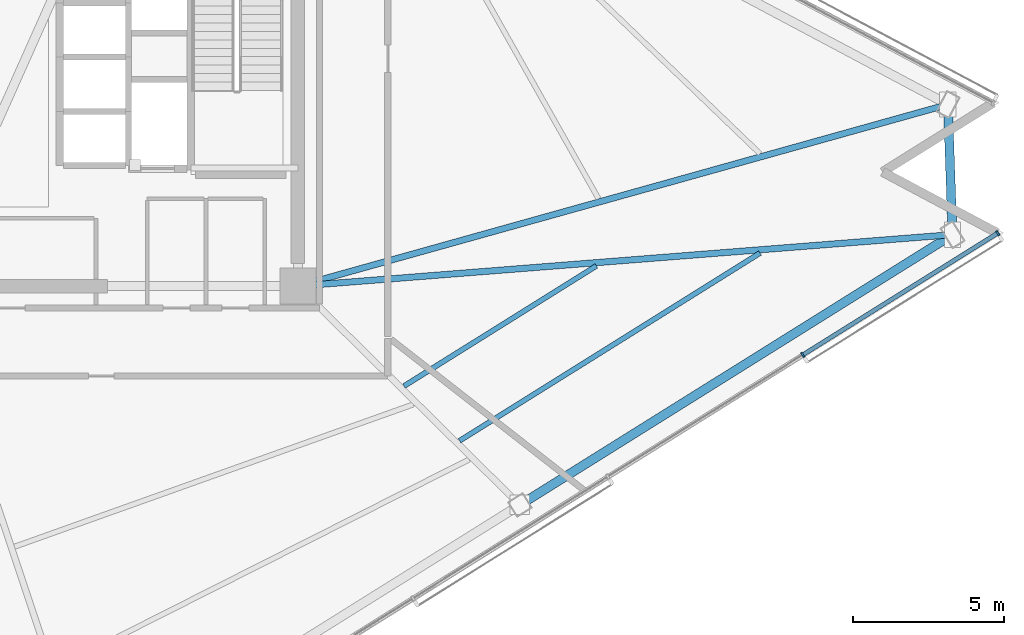
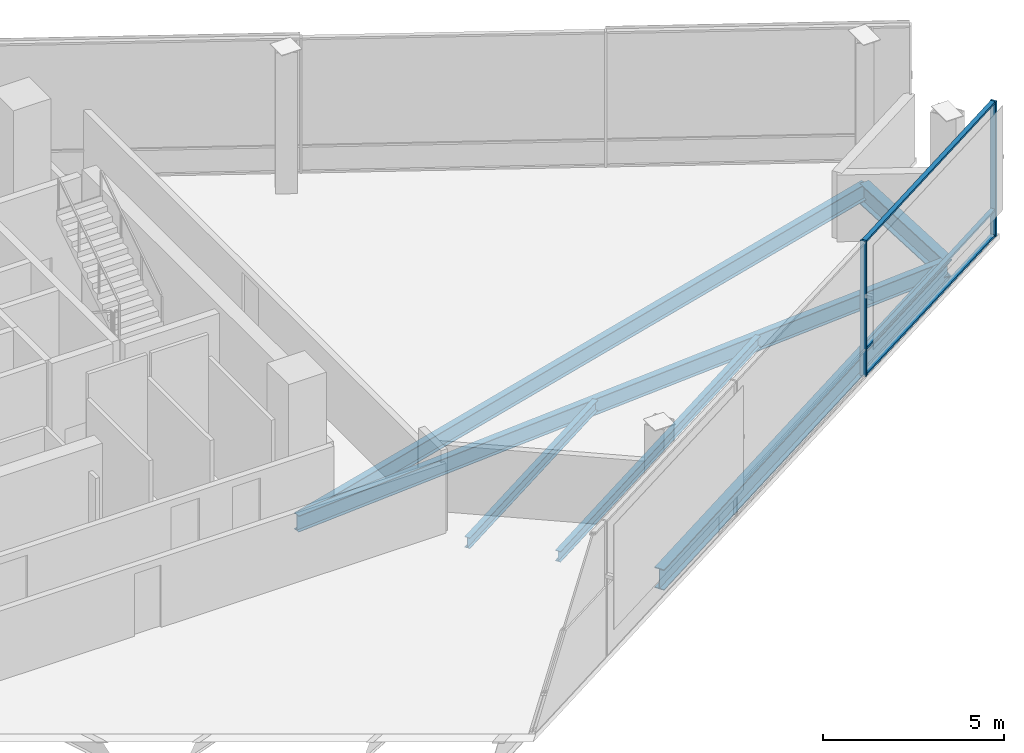
# One storey, part 6 of 19: 6 beams, 5 members, 1 element without a shape of its own.
"""IFC4 building model written with IfcOpenShell, lengths in metres."""

from ifc_helpers import new_model, si_unit, direction, frame, origin, origin_2d, place, context, subcontext, project, spatial, rectangle, i_section, extrude, material, layer, layer_set, material_profile, profile_set, type_object, element, aggregate, save


model = new_model("IFC4")

# Units and contexts
model_context = context("Model", 3, precision=1e-05, world=origin(), true_north=direction((0.0, 1.0)))
body_context = subcontext(model_context, "Body", "Model", "MODEL_VIEW")
ifc_project = project(units=[si_unit("LENGTHUNIT", "METRE"), si_unit("AREAUNIT", "SQUARE_METRE"), si_unit("VOLUMEUNIT", "CUBIC_METRE"), si_unit("PLANEANGLEUNIT", "RADIAN"), si_unit("MASSUNIT", "GRAM", prefix="KILO")], contexts=[model_context])

# Site, building, storey
site_placement = place(None, origin())
site = spatial("IfcSite", under=ifc_project, at=site_placement, CompositionType="ELEMENT")
building_placement = place(site_placement, origin())
building = spatial("IfcBuilding", under=site, at=building_placement, Name="Tharavind Bronze Gate", CompositionType="ELEMENT")
storey_placement = place(building_placement, frame((0.0, 0.0, 160.39990234375)))
storey = spatial("IfcBuildingStorey", under=building, at=storey_placement, Name="L41", CompositionType="ELEMENT", Elevation=160.39990234375)

# Curtain wall, members
ifc_material_1 = material(Name="Anodised Bronze Aluminium", Category="aluminium")
ifc_layer = layer(ifc_material_1, 0.219970703125)
ifc_layer_set = layer_set([ifc_layer], Name="Anodised Bronze Aluminium")
curtain_wall_type = type_object("IfcCurtainWallType", Name="UNITISED CURTAIN WALL MID OFFICE", PredefinedType="USERDEFINED", material=ifc_layer_set)
curtain_wall_placement = place(storey_placement, origin())
curtain_wall = element("IfcCurtainWall", 1, at=curtain_wall_placement, inside=storey, type_object=curtain_wall_type, Name="L41 unitised curtain wall mid office CW-L41-S2", ObjectType="UNITISED CURTAIN WALL", PredefinedType="USERDEFINED")
member_type_1 = type_object("IfcMemberType", Name="CURTAIN WALL BRONZE MULLION 65X180", PredefinedType="MULLION", material=ifc_material_1)
member_1_placement = place(storey_placement, frame((25.649169921875, -9.8798828125, 0.0), z_axis=(0.0, 0.0, 1.0), x_axis=(0.848048096156, 0.529919264233, 0.0)))
member_1 = element("IfcMember", 2, at=member_1_placement, type_object=member_type_1, Name="CW-L41-S2 mullion 7", PredefinedType="MULLION", context=body_context, shape_type="SweptSolid", body=[
    extrude(rectangle(XDim=0.06494140625, YDim=0.179931640625, at=origin_2d()), origin(), (0.0, 0.0, 1.0), 4.554931640625),
])
member_2_placement = place(storey_placement, frame((32.114501953125, -5.83984375, 0.0), z_axis=(0.0, 0.0, 1.0), x_axis=(0.848048096156, 0.529919264233, 0.0)))
member_2 = element("IfcMember", 3, at=member_2_placement, type_object=member_type_1, Name="CW-L41-S2 mullion 8", PredefinedType="MULLION", context=body_context, shape_type="SweptSolid", body=[
    extrude(rectangle(XDim=0.06494140625, YDim=0.179931640625, at=origin_2d()), origin(), (0.0, 0.0, 1.0), 4.554931640625),
])
member_type_2 = type_object("IfcMemberType", Name="CURTAIN WALL BRONZE TRANSOM 65X140", PredefinedType="USERDEFINED", material=ifc_material_1)
member_3_placement = place(storey_placement, frame((28.8818359375, -7.85986328125, 0.000244140625), z_axis=(0.0, 0.0, 1.0), x_axis=(0.848048096156, 0.529919264233, 0.0)))
member_3 = element("IfcMember", 4, at=member_3_placement, type_object=member_type_2, Name="CW-L41-S2 transom TB7", ObjectType="TRANSOM", PredefinedType="USERDEFINED", context=body_context, shape_type="SweptSolid", body=[
    extrude(rectangle(XDim=7.57080078125, YDim=0.139892578125, at=origin_2d()), origin(), (0.0, 0.0, 1.0), 0.06494140625),
])
member_4_placement = place(storey_placement, frame((28.8818359375, -7.85986328125, 0.86767578125), z_axis=(0.0, 0.0, 1.0), x_axis=(0.848048096156, 0.529919264233, 0.0)))
member_4 = element("IfcMember", 5, at=member_4_placement, type_object=member_type_2, Name="CW-L41-S2 transom TS7", ObjectType="TRANSOM", PredefinedType="USERDEFINED", context=body_context, shape_type="SweptSolid", body=[
    extrude(rectangle(XDim=7.57080078125, YDim=0.139892578125, at=origin_2d()), origin(), (0.0, 0.0, 1.0), 0.06494140625),
])
member_5_placement = place(storey_placement, frame((28.8818359375, -7.85986328125, 4.490234375), z_axis=(0.0, 0.0, 1.0), x_axis=(0.848048096156, 0.529919264233, 0.0)))
member_5 = element("IfcMember", 6, at=member_5_placement, type_object=member_type_2, Name="CW-L41-S2 transom TT7", ObjectType="TRANSOM", PredefinedType="USERDEFINED", context=body_context, shape_type="SweptSolid", body=[
    extrude(rectangle(XDim=7.57080078125, YDim=0.139892578125, at=origin_2d()), origin(), (0.0, 0.0, 1.0), 0.06494140625),
])
aggregate(curtain_wall, [member_1, member_2, member_3, member_4, member_5])

# Beams
ifc_material_2 = material(Name="Steel S355", Category="steel")
ifc_material_profile_1 = material_profile(ifc_material_2, i_section(OverallWidth=0.2099609375, OverallDepth=0.550048828125, WebThickness=0.010986328125, FlangeThickness=0.01708984375, at=origin_2d()), Name="IPE550")
ifc_profile_set_1 = profile_set([ifc_material_profile_1], Name="Steel S355")
beam_type_1 = type_object("IfcBeamType", Name="PRIMARY GIRDER IPE550", PredefinedType="USERDEFINED", material=ifc_profile_set_1)
beam_1_placement = place(storey_placement, frame((30.615478515625, -5.89208984375, -0.46484375), z_axis=(-0.996921085332, -0.07841141256, 0.0), x_axis=(0.07841141256, -0.996921085332, 0.0)))
element("IfcBeam", 7, at=beam_1_placement, inside=storey, type_object=beam_type_1, Name="L41 primary girder ipe550 BM-L41-RAD08", ObjectType="GIRDER", PredefinedType="USERDEFINED", context=body_context, shape_type="SweptSolid", body=[
    extrude(i_section(OverallWidth=0.2099609375, OverallDepth=0.550048828125, WebThickness=0.010986328125, FlangeThickness=0.01708984375, at=origin_2d()), origin(), (0.0, 0.0, 1.0), 21.78271484375),
])
beam_2_placement = place(storey_placement, frame((30.46484375, -1.57470703125, -0.46484375), z_axis=(-0.96311222074, -0.269100074809, 0.0), x_axis=(0.269100074809, -0.96311222074, 0.0)))
element("IfcBeam", 8, at=beam_2_placement, inside=storey, type_object=beam_type_1, Name="L41 primary girder ipe550 BM-L41-RAD09", ObjectType="GIRDER", PredefinedType="USERDEFINED", context=body_context, shape_type="SweptSolid", body=[
    extrude(i_section(OverallWidth=0.2099609375, OverallDepth=0.550048828125, WebThickness=0.010986328125, FlangeThickness=0.01708984375, at=origin_2d()), origin(), (0.0, 0.0, 1.0), 22.390869140625),
])
ifc_material_profile_2 = material_profile(ifc_material_2, i_section(OverallWidth=0.300048828125, OverallDepth=0.699951171875, WebThickness=0.01708984375, FlangeThickness=0.031982421875, at=origin_2d()), Name="HE700B")
ifc_profile_set_2 = profile_set([ifc_material_profile_2], Name="Steel S355")
beam_type_2 = type_object("IfcBeamType", Name="RING GIRDER HE700B", PredefinedType="USERDEFINED", material=ifc_profile_set_2)
beam_3_placement = place(storey_placement, frame((16.263916015625, -14.860107421875, -0.539794921875), z_axis=(0.84804368744, 0.529926319589, 0.0), x_axis=(-0.529926319589, 0.84804368744, 0.0)))
element("IfcBeam", 9, at=beam_3_placement, inside=storey, type_object=beam_type_2, Name="L41 ring girder he700b BM-L41-PRG07", ObjectType="GIRDER", PredefinedType="USERDEFINED", context=body_context, shape_type="SweptSolid", body=[
    extrude(i_section(OverallWidth=0.300048828125, OverallDepth=0.699951171875, WebThickness=0.01708984375, FlangeThickness=0.031982421875, at=origin_2d()), origin(), (0.0, 0.0, 1.0), 16.923095703125),
])
beam_4_placement = place(storey_placement, frame((30.615478515625, -5.89208984375, -0.539794921875), z_axis=(-0.034869079132, 0.999391888761, 0.0), x_axis=(-0.999391888761, -0.034869079132, 0.0)))
element("IfcBeam", 10, at=beam_4_placement, inside=storey, type_object=beam_type_2, Name="L41 ring girder he700b BM-L41-PRG08", ObjectType="GIRDER", PredefinedType="USERDEFINED", context=body_context, shape_type="SweptSolid", body=[
    extrude(i_section(OverallWidth=0.300048828125, OverallDepth=0.699951171875, WebThickness=0.01708984375, FlangeThickness=0.031982421875, at=origin_2d()), origin(), (0.0, 0.0, 1.0), 4.320068359375),
])
ifc_material_profile_3 = material_profile(ifc_material_2, i_section(OverallWidth=0.169921875, OverallDepth=0.360107421875, WebThickness=0.008056640625, FlangeThickness=0.0126953125, at=origin_2d()), Name="IPE360")
ifc_profile_set_3 = profile_set([ifc_material_profile_3], Name="Steel S355")
beam_type_3 = type_object("IfcBeamType", Name="SECONDARY FLOOR JOIST IPE360", PredefinedType="JOIST", material=ifc_profile_set_3)
beam_5_placement = place(storey_placement, frame((12.419189453125, -10.91650390625, -0.369873046875), z_axis=(0.848052974069, 0.529911457862, 0.0), x_axis=(-0.529911457862, 0.848052974069, 0.0)))
element("IfcBeam", 11, at=beam_5_placement, inside=storey, type_object=beam_type_3, Name="L41 secondary floor joist ipe360 BM-L41-JSTA07", PredefinedType="JOIST", context=body_context, shape_type="SweptSolid", body=[
    extrude(i_section(OverallWidth=0.169921875, OverallDepth=0.360107421875, WebThickness=0.008056640625, FlangeThickness=0.0126953125, at=origin_2d()), origin(), (0.0, 0.0, 1.0), 7.52587890625),
])
beam_6_placement = place(storey_placement, frame((14.260009765625, -12.731689453125, -0.369873046875), z_axis=(0.848048464422, 0.529918674884, 0.0), x_axis=(-0.529918674884, 0.848048464422, 0.0)))
element("IfcBeam", 12, at=beam_6_placement, inside=storey, type_object=beam_type_3, Name="L41 secondary floor joist ipe360 BM-L41-JSTB07", PredefinedType="JOIST", context=body_context, shape_type="SweptSolid", body=[
    extrude(i_section(OverallWidth=0.169921875, OverallDepth=0.360107421875, WebThickness=0.008056640625, FlangeThickness=0.0126953125, at=origin_2d()), origin(), (0.0, 0.0, 1.0), 11.7568359375),
])

save(model, "model.ifc")
